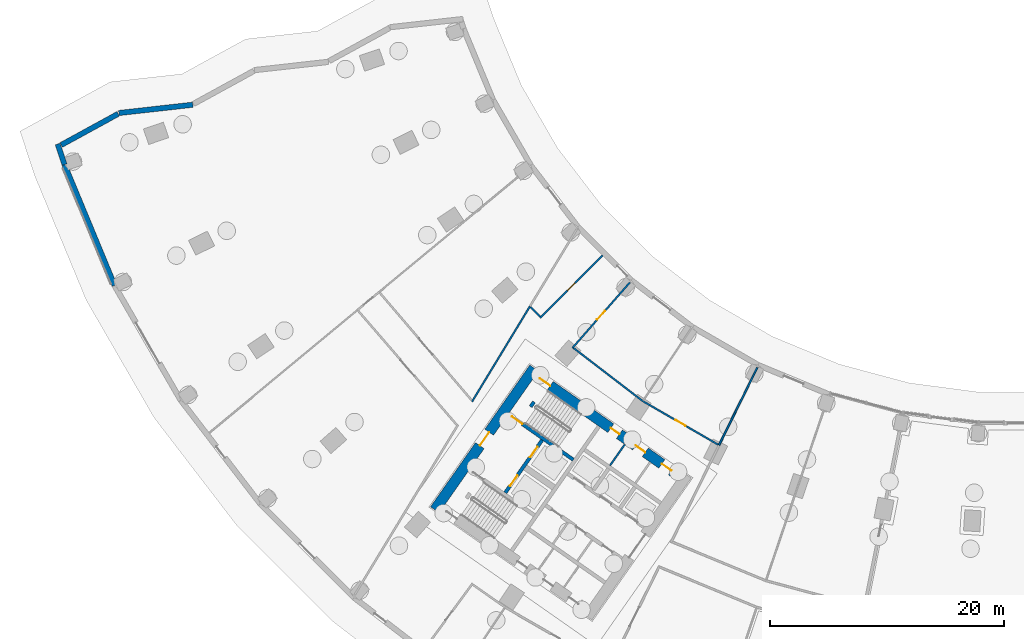
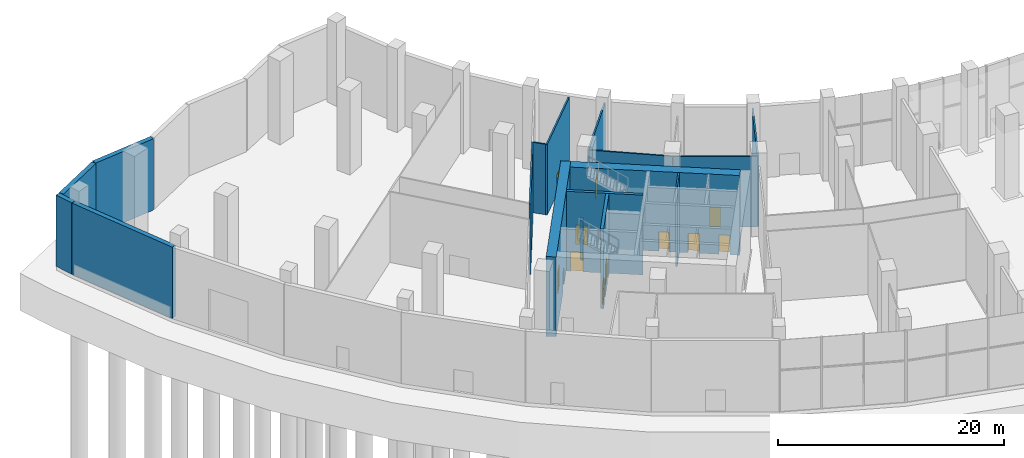
# One storey, part 6 of 23: 17 walls, 11 doors, 11 openings.
"""IFC4 building model written with IfcOpenShell, lengths in metres."""

import ifcopenshell
import ifcopenshell.guid

model = None  # the IFC model being written
_history = None  # IfcOwnerHistory: only IFC2X3 demands one
_inside = {}  # id of a spatial element -> (the spatial element, [elements in it])
_under = {}  # id of a project, library or spatial element -> (it, [spatial elements below it])
_declared = {}  # id of a project -> (the project, [libraries it declares])
_typed = {}  # id of a type object -> (the type object, [elements of that type])
_made_of = {}  # id of a material, layer set ... -> (it, [elements and type objects made of it])


def new_model(schema):
    """Start an empty IFC model of exactly this schema.

    Asked for "IFC4X3", IfcOpenShell would pick the latest addendum, in which some entities
    have other attributes; the version numbers below select the first issue.
    IFC2X3 requires an IfcOwnerHistory on every rooted entity: one is made here for all.
    """
    global model, _history
    if schema == "IFC4X3":
        model = ifcopenshell.file(schema_version=(4, 3, 0, 0))
    else:
        model = ifcopenshell.file(schema=schema)
    _inside.clear()
    _under.clear()
    _declared.clear()
    _typed.clear()
    _made_of.clear()
    _history = None
    if model.schema == "IFC2X3":
        org = make("IfcOrganization", Name="unknown")
        user = make(
            "IfcPersonAndOrganization",
            ThePerson=make("IfcPerson", FamilyName="unknown"),
            TheOrganization=org,
        )
        app = make(
            "IfcApplication",
            ApplicationDeveloper=org,
            Version="unknown",
            ApplicationFullName="unknown",
            ApplicationIdentifier="unknown",
        )
        _history = make(
            "IfcOwnerHistory",
            OwningUser=user,
            OwningApplication=app,
            ChangeAction="ADDED",
            CreationDate=0,
        )
    return model


def make(cls, **values):
    """One entity of the class cls with the attributes given. An attribute that is None is left unset."""
    return model.create_entity(
        cls, **{name: value for name, value in values.items() if value is not None}
    )


def rooted(cls, **values):
    """An entity with a GlobalId (a new one), such as an element, a storey or a relation."""
    return make(cls, GlobalId=ifcopenshell.guid.new(), OwnerHistory=_history, **values)


def si_unit(unit_type, name, prefix=None):
    """IfcSIUnit, for example si_unit("LENGTHUNIT", "METRE", prefix="MILLI")."""
    return make("IfcSIUnit", UnitType=unit_type, Prefix=prefix, Name=name)


def assignment(units):
    """IfcUnitAssignment: the units of a project."""
    return None if units is None else make("IfcUnitAssignment", Units=units)


def point(xyz):
    """IfcCartesianPoint."""
    return None if xyz is None else make("IfcCartesianPoint", Coordinates=xyz)


def direction(xyz):
    """IfcDirection."""
    return None if xyz is None else make("IfcDirection", DirectionRatios=xyz)


def frame(location, z_axis=None, x_axis=None):
    """IfcAxis2Placement3D, a coordinate frame: its origin and axes. An axis left out is left unset."""
    return make(
        "IfcAxis2Placement3D",
        Location=point(location),
        Axis=direction(z_axis),
        RefDirection=direction(x_axis),
    )


def frame_2d(location, x_axis=None):
    """IfcAxis2Placement2D, a coordinate frame in the plane: its origin and x axis."""
    return make(
        "IfcAxis2Placement2D", Location=point(location), RefDirection=direction(x_axis)
    )


def origin():
    """The frame at (0, 0, 0) with its axes left unset."""
    return frame((0.0, 0.0, 0.0))


def place(relative_to, where):
    """IfcLocalPlacement: puts the frame where relative to a parent placement (None: the world)."""
    return make(
        "IfcLocalPlacement", PlacementRelTo=relative_to, RelativePlacement=where
    )


def context(
    kind, dimensions, precision=None, world=None, true_north=None, identifier=None
):
    """IfcGeometricRepresentationContext, for example the 3D "Model" context."""
    return make(
        "IfcGeometricRepresentationContext",
        ContextIdentifier=identifier,
        ContextType=kind,
        CoordinateSpaceDimension=dimensions,
        Precision=precision,
        WorldCoordinateSystem=world,
        TrueNorth=true_north,
    )


def subcontext(parent, identifier, kind, view, scale=None):
    """IfcGeometricRepresentationSubContext, for example "Body" below "Model"."""
    return make(
        "IfcGeometricRepresentationSubContext",
        ContextIdentifier=identifier,
        ContextType=kind,
        ParentContext=parent,
        TargetScale=scale,
        TargetView=view,
    )


def project(units=None, contexts=None):
    """IfcProject with its units and contexts."""
    return rooted(
        "IfcProject",
        Name="project",
        RepresentationContexts=contexts,
        UnitsInContext=assignment(units),
    )


def spatial(cls, under=None, at=None, **own):
    """A site, building, storey or space (cls), placed at a placement, below another one or the project."""
    s = rooted(cls, ObjectPlacement=at, **own)
    if under is not None:
        _under.setdefault(under.id(), (under, []))[1].append(s)
    return s


def profile(cls, at=None, kind="AREA", **sizes):
    """A parametric profile (cls). Its sizes go by their IFC names, for example OverallWidth=200.0."""
    return make(cls, ProfileType=kind, Position=at, **sizes)


def rectangle(**sizes):
    """IfcRectangleProfileDef."""
    return profile("IfcRectangleProfileDef", **sizes)


def extrude(swept, where, along, depth):
    """IfcExtrudedAreaSolid: the profile swept, set in the frame where, extruded along a direction by depth."""
    return make(
        "IfcExtrudedAreaSolid",
        SweptArea=swept,
        Position=where,
        ExtrudedDirection=direction(along),
        Depth=depth,
    )


def shape(context_of_items, identifier, shape_type, items):
    """IfcShapeRepresentation: the items that make up one representation, for example the "Body"."""
    return make(
        "IfcShapeRepresentation",
        ContextOfItems=context_of_items,
        RepresentationIdentifier=identifier,
        RepresentationType=shape_type,
        Items=items,
    )


def material(Name=None, Category=None):
    """IfcMaterial."""
    return make("IfcMaterial", Name=Name, Category=Category)


def layer(
    of_material, thickness, ventilated=None, Name=None, Category=None, Priority=None
):
    """IfcMaterialLayer: one layer of a wall or slab, of a material (None: an air gap)."""
    return make(
        "IfcMaterialLayer",
        Material=of_material,
        LayerThickness=thickness,
        IsVentilated=ventilated,
        Name=Name,
        Category=Category,
        Priority=Priority,
    )


def layer_set(layers, Name=None):
    """IfcMaterialLayerSet."""
    return make("IfcMaterialLayerSet", MaterialLayers=layers, LayerSetName=Name)


def made_of(thing, what):
    """Note that an element or type object is made of a material, layer set ...; save() writes the relation."""
    if what is not None:
        _made_of.setdefault(what.id(), (what, []))[1].append(thing)
    return thing


def type_object(cls, material=None, **own):
    """A type object (cls), such as IfcWallType, which elements share."""
    return made_of(rooted(cls, **own), material)


def element(
    cls,
    number,
    at=None,
    inside=None,
    cuts=None,
    type_object=None,
    material=None,
    context=None,
    identifier="Body",
    shape_type=None,
    held_by="IfcProductDefinitionShape",
    body=None,
    shapes=None,
    **own,
):
    """One element of the class cls, such as IfcWall. Its Tag is "e" and its number.

    at: its placement. inside: the storey or other place that contains it. cuts: it is an
    opening in that element (IfcRelVoidsElement). A single representation is given by context,
    identifier, shape_type and body (its items); several are given by shapes. held_by: the class
    of the entity that holds the representations. save() writes the other relations.
    """
    e = rooted(cls, Tag="e%d" % number, ObjectPlacement=at, **own)
    if body is not None:
        shapes = [shape(context, identifier, shape_type, body)]
    if shapes is not None:
        e.Representation = make(held_by, Representations=shapes)
    if inside is not None:
        _inside.setdefault(inside.id(), (inside, []))[1].append(e)
    if cuts is not None:
        rooted(
            "IfcRelVoidsElement", RelatingBuildingElement=cuts, RelatedOpeningElement=e
        )
    if type_object is not None:
        _typed.setdefault(type_object.id(), (type_object, []))[1].append(e)
    return made_of(e, material)


def fill(opening, filler):
    """IfcRelFillsElement: the door or window that sits in an opening."""
    return rooted(
        "IfcRelFillsElement",
        RelatingOpeningElement=opening,
        RelatedBuildingElement=filler,
    )


def aggregate(whole, parts):
    """IfcRelAggregates: a whole, such as a stair, and the parts it consists of."""
    return rooted("IfcRelAggregates", RelatingObject=whole, RelatedObjects=parts)


def save(model, path):
    """Write the relations noted so far, then the file.

    IfcRelAggregates (storeys below a building ...), IfcRelContainedInSpatialStructure (elements
    in a storey), IfcRelDefinesByType, IfcRelAssociatesMaterial and IfcRelDeclares: one each for
    every whole, place, type object, material and project.
    """
    for whole, parts in _under.values():
        aggregate(whole, parts)
    for where, things in _inside.values():
        rooted(
            "IfcRelContainedInSpatialStructure",
            RelatedElements=things,
            RelatingStructure=where,
        )
    for kind, things in _typed.values():
        rooted("IfcRelDefinesByType", RelatedObjects=things, RelatingType=kind)
    for what, things in _made_of.values():
        rooted("IfcRelAssociatesMaterial", RelatedObjects=things, RelatingMaterial=what)
    for by, libraries in _declared.values():
        rooted("IfcRelDeclares", RelatingContext=by, RelatedDefinitions=libraries)
    model.write(path)


model = new_model("IFC4")

# Units and contexts
model_context = context("Model", 3, precision=1e-05, world=origin(), true_north=direction((0.0, 1.0)))
body_context = subcontext(model_context, "Body", "Model", "MODEL_VIEW")
ifc_project = project(units=[si_unit("LENGTHUNIT", "METRE"), si_unit("AREAUNIT", "SQUARE_METRE"), si_unit("VOLUMEUNIT", "CUBIC_METRE"), si_unit("PLANEANGLEUNIT", "RADIAN"), si_unit("MASSUNIT", "GRAM", prefix="KILO")], contexts=[model_context])

# Site, building, storey
site_placement = place(None, origin())
site = spatial("IfcSite", under=ifc_project, at=site_placement, CompositionType="ELEMENT")
building_placement = place(site_placement, origin())
building = spatial("IfcBuilding", under=site, at=building_placement, Name="Qamariyya Broadcast Tower", CompositionType="ELEMENT")
storey_placement = place(building_placement, origin())
storey = spatial("IfcBuildingStorey", under=building, at=storey_placement, Name="L00", CompositionType="ELEMENT", Elevation=0.0)

# Wall, opening, door
ifc_material_1 = material(Name="Concrete C70/85", Category="concrete")
ifc_layer_1 = layer(ifc_material_1, 0.89990234375)
ifc_layer_set_1 = layer_set([ifc_layer_1], Name="Core wall 900 mm Concrete C70/85")
wall_type_1 = type_object("IfcWallType", Name="Core wall 900 mm Concrete C70/85", PredefinedType="SHEAR", material=ifc_layer_set_1)
wall_1_placement = place(storey_placement, frame((-49.778564453125, -57.191162109375, 0.0), z_axis=(0.0, 0.0, 1.0), x_axis=(0.573577477574, 0.819151315216, 0.0)))
wall_1 = element("IfcWall", 1, at=wall_1_placement, inside=storey, type_object=wall_type_1, Name="k-W-L00-WH", PredefinedType="SHEAR", context=body_context, shape_type="SweptSolid", body=[
    extrude(rectangle(XDim=14.800048828125, YDim=0.89990234375, at=frame_2d((7.39990234375, 0.0))), origin(), (0.0, 0.0, 1.0), 8.60009765625),
])
opening_1_placement = place(wall_1_placement, frame((6.699951171875, 0.0, 0.0)))
opening_1 = element("IfcOpeningElement", 2, at=opening_1_placement, cuts=wall_1, Name="Opening KD2-W1", PredefinedType="OPENING", context=body_context, shape_type="SweptSolid", body=[
    extrude(rectangle(XDim=1.39990234375, YDim=2.10009765625, at=frame_2d((0.699951171875, 1.050048828125))), frame((0.0, 0.4599609375, 0.0), z_axis=(0.0, -1.0, 0.0), x_axis=(1.0, 0.0, 0.0)), (0.0, 0.0, 1.0), 0.919921875),
])
ifc_material_2 = material(Name="Steel fire-resisting door leaf", Category="steel")
door_type_1 = type_object("IfcDoorType", Name="Fire-fighting lobby door KD2", OperationType="DOUBLE_DOOR_SINGLE_SWING", PredefinedType="DOOR", material=ifc_material_2)
door_1_placement = place(opening_1_placement, origin())
door_1 = element("IfcDoor", 3, at=door_1_placement, inside=storey, type_object=door_type_1, Name="k-W-L00-WH-D16", OperationType="DOUBLE_DOOR_SINGLE_SWING", OverallHeight=2.10009765625, OverallWidth=1.39990234375, PredefinedType="DOOR", context=body_context, shape_type="SweptSolid", body=[
    extrude(rectangle(XDim=1.39990234375, YDim=2.10009765625, at=frame_2d((0.699951171875, 1.050048828125))), frame((0.0, 0.02490234375, 0.0), z_axis=(0.0, -1.0, 0.0), x_axis=(1.0, 0.0, 0.0)), (0.0, 0.0, 1.0), 0.050048828125),
])
fill(opening_1, door_1)

# Wall, openings, doors
wall_2_placement = place(storey_placement, frame((-28.8544921875, -54.32421875, 0.0), z_axis=(0.0, 0.0, 1.0), x_axis=(-0.819145767589, 0.573585400304, 0.0)))
wall_2 = element("IfcWall", 4, at=wall_2_placement, inside=storey, type_object=wall_type_1, Name="k-W-L00-WI", PredefinedType="SHEAR", context=body_context, shape_type="SweptSolid", body=[
    extrude(rectangle(XDim=15.04541015625, YDim=0.89990234375, at=frame_2d((7.522705078125, 0.0))), origin(), (0.0, 0.0, 1.0), 8.60009765625),
])
opening_2_placement = place(wall_2_placement, frame((0.85009765625, 0.0, 0.0)))
opening_2 = element("IfcOpeningElement", 5, at=opening_2_placement, cuts=wall_2, Name="Opening KD6-W3", PredefinedType="OPENING", context=body_context, shape_type="SweptSolid", body=[
    extrude(rectangle(XDim=1.0, YDim=2.10009765625, at=frame_2d((0.5, 1.050048828125))), frame((0.0, 0.4599609375, 0.0), z_axis=(0.0, -1.0, 0.0), x_axis=(1.0, 0.0, 0.0)), (0.0, 0.0, 1.0), 0.919921875),
])
opening_3_placement = place(wall_2_placement, frame((3.574951171875, 0.0, 0.0)))
opening_3 = element("IfcOpeningElement", 6, at=opening_3_placement, cuts=wall_2, Name="Opening KD7-W1", PredefinedType="OPENING", context=body_context, shape_type="SweptSolid", body=[
    extrude(rectangle(XDim=1.0, YDim=2.10009765625, at=frame_2d((0.5, 1.050048828125))), frame((0.0, 0.4599609375, 0.0), z_axis=(0.0, -1.0, 0.0), x_axis=(1.0, 0.0, 0.0)), (0.0, 0.0, 1.0), 0.919921875),
])
opening_4_placement = place(wall_2_placement, frame((6.27490234375, 0.0, 0.0)))
opening_4 = element("IfcOpeningElement", 7, at=opening_4_placement, cuts=wall_2, Name="Opening KD5-W1", PredefinedType="OPENING", context=body_context, shape_type="SweptSolid", body=[
    extrude(rectangle(XDim=0.89990234375, YDim=2.10009765625, at=frame_2d((0.449951171875, 1.050048828125))), frame((0.0, 0.4599609375, 0.0), z_axis=(0.0, -1.0, 0.0), x_axis=(1.0, 0.0, 0.0)), (0.0, 0.0, 1.0), 0.919921875),
])
opening_5_placement = place(wall_2_placement, frame((13.495361328125, 0.0, 0.0)))
opening_5 = element("IfcOpeningElement", 8, at=opening_5_placement, cuts=wall_2, Name="Opening KD1-W1", PredefinedType="OPENING", context=body_context, shape_type="SweptSolid", body=[
    extrude(rectangle(XDim=1.10009765625, YDim=2.10009765625, at=frame_2d((0.550048828125, 1.050048828125))), frame((0.0, 0.4599609375, 0.0), z_axis=(0.0, -1.0, 0.0), x_axis=(1.0, 0.0, 0.0)), (0.0, 0.0, 1.0), 0.919921875),
])
door_type_2 = type_object("IfcDoorType", Name="Accessible toilet door KD7", OperationType="SINGLE_SWING_LEFT", PredefinedType="DOOR", material=ifc_material_2)
door_2_placement = place(opening_3_placement, origin())
door_2 = element("IfcDoor", 9, at=door_2_placement, inside=storey, type_object=door_type_2, Name="k-W-L00-WI-D9", OperationType="SINGLE_SWING_RIGHT", OverallHeight=2.10009765625, OverallWidth=1.0, PredefinedType="DOOR", context=body_context, shape_type="SweptSolid", body=[
    extrude(rectangle(XDim=1.0, YDim=2.10009765625, at=frame_2d((0.5, 1.050048828125))), frame((0.0, 0.02490234375, 0.0), z_axis=(0.0, -1.0, 0.0), x_axis=(1.0, 0.0, 0.0)), (0.0, 0.0, 1.0), 0.050048828125),
])
fill(opening_3, door_2)
door_type_3 = type_object("IfcDoorType", Name="Core room door KD6", OperationType="SINGLE_SWING_LEFT", PredefinedType="DOOR", material=ifc_material_2)
door_3_placement = place(opening_2_placement, origin())
door_3 = element("IfcDoor", 10, at=door_3_placement, inside=storey, type_object=door_type_3, Name="k-W-L00-WI-D8", OperationType="SINGLE_SWING_LEFT", OverallHeight=2.10009765625, OverallWidth=1.0, PredefinedType="DOOR", context=body_context, shape_type="SweptSolid", body=[
    extrude(rectangle(XDim=1.0, YDim=2.10009765625, at=frame_2d((0.5, 1.050048828125))), frame((0.0, 0.02490234375, 0.0), z_axis=(0.0, -1.0, 0.0), x_axis=(1.0, 0.0, 0.0)), (0.0, 0.0, 1.0), 0.050048828125),
])
fill(opening_2, door_3)
door_type_4 = type_object("IfcDoorType", Name="Stair door KD1", OperationType="SINGLE_SWING_LEFT", PredefinedType="DOOR", material=ifc_material_2)
door_4_placement = place(opening_5_placement, origin())
door_4 = element("IfcDoor", 11, at=door_4_placement, inside=storey, type_object=door_type_4, Name="k-W-L00-WI-D17", OperationType="SINGLE_SWING_RIGHT", OverallHeight=2.10009765625, OverallWidth=1.10009765625, PredefinedType="DOOR", context=body_context, shape_type="SweptSolid", body=[
    extrude(rectangle(XDim=1.10009765625, YDim=2.10009765625, at=frame_2d((0.550048828125, 1.050048828125))), frame((0.0, 0.02490234375, 0.0), z_axis=(0.0, -1.0, 0.0), x_axis=(1.0, 0.0, 0.0)), (0.0, 0.0, 1.0), 0.050048828125),
])
fill(opening_5, door_4)
door_type_5 = type_object("IfcDoorType", Name="Toilet door KD5", OperationType="SINGLE_SWING_LEFT", PredefinedType="DOOR", material=ifc_material_2)
door_5_placement = place(opening_4_placement, origin())
door_5 = element("IfcDoor", 12, at=door_5_placement, inside=storey, type_object=door_type_5, Name="k-W-L00-WI-D10", OperationType="SINGLE_SWING_LEFT", OverallHeight=2.10009765625, OverallWidth=0.89990234375, PredefinedType="DOOR", context=body_context, shape_type="SweptSolid", body=[
    extrude(rectangle(XDim=0.89990234375, YDim=2.10009765625, at=frame_2d((0.449951171875, 1.050048828125))), frame((0.0, 0.02490234375, 0.0), z_axis=(0.0, -1.0, 0.0), x_axis=(1.0, 0.0, 0.0)), (0.0, 0.0, 1.0), 0.050048828125),
])
fill(opening_4, door_5)

# Walls
ifc_material_3 = material(Name="Gypsum board partition")
ifc_layer_2 = layer(ifc_material_3, 0.14990234375)
ifc_layer_set_2 = layer_set([ifc_layer_2], Name="Corridor partition 150 EI 60")
wall_type_2 = type_object("IfcWallType", Name="Corridor partition 150 EI 60", PredefinedType="PARTITIONING", material=ifc_layer_set_2)
wall_3_placement = place(storey_placement, frame((-41.648193359375, -39.789306640625, 0.0), z_axis=(0.0, 0.0, 1.0), x_axis=(-0.519144162426, -0.854686690325, 0.0)))
element("IfcWall", 13, at=wall_3_placement, inside=storey, type_object=wall_type_2, Name="Partition L00-012", PredefinedType="PARTITIONING", context=body_context, shape_type="SweptSolid", body=[
    extrude(rectangle(XDim=9.55419921875, YDim=0.14990234375, at=frame_2d((4.777099609375, 0.0))), origin(), (0.0, 0.0, 1.0), 7.60009765625),
])
wall_4_placement = place(storey_placement, frame((-41.595703125, -39.843017578125, 0.0), z_axis=(0.0, 0.0, 1.0), x_axis=(0.698989001302, -0.715132418548, 0.0)))
element("IfcWall", 14, at=wall_4_placement, inside=storey, type_object=wall_type_2, Name="Partition L00-013", PredefinedType="PARTITIONING", context=body_context, shape_type="SweptSolid", body=[
    extrude(rectangle(XDim=1.16455078125, YDim=0.14990234375, at=frame_2d((0.582275390625, 0.0))), origin(), (0.0, 0.0, 1.0), 7.60009765625),
])
wall_5_placement = place(storey_placement, frame((-37.918701171875, -43.3515625, 0.0), z_axis=(0.0, 0.0, 1.0), x_axis=(0.793353438114, -0.608761301523, 0.0)))
element("IfcWall", 15, at=wall_5_placement, inside=storey, type_object=wall_type_2, Name="Partition L00-014", PredefinedType="PARTITIONING", context=body_context, shape_type="SweptSolid", body=[
    extrude(rectangle(XDim=7.45947265625, YDim=0.14990234375, at=frame_2d((3.729736328125, 0.0))), origin(), (0.0, 0.0, 1.0), 7.60009765625),
])

# Wall, opening, door
wall_6_placement = place(storey_placement, frame((-40.782470703125, -40.782470703125, 0.0), z_axis=(0.0, 0.0, 1.0), x_axis=(0.707106781187, 0.707106781187, 0.0)))
wall_6 = element("IfcWall", 16, at=wall_6_placement, inside=storey, type_object=wall_type_2, Name="Partition L00-016", PredefinedType="PARTITIONING", context=body_context, shape_type="SweptSolid", body=[
    extrude(rectangle(XDim=7.581787109375, YDim=0.14990234375, at=frame_2d((3.791015625, 0.0))), origin(), (0.0, 0.0, 1.0), 7.60009765625),
])
opening_6_placement = place(wall_6_placement, frame((3.3408203125, 0.0, 0.0)))
opening_6 = element("IfcOpeningElement", 17, at=opening_6_placement, cuts=wall_6, Name="Opening L00-D08", PredefinedType="OPENING", context=body_context, shape_type="SweptSolid", body=[
    extrude(rectangle(XDim=0.89990234375, YDim=2.10009765625, at=frame_2d((0.449951171875, 1.050048828125))), frame((0.0, 0.0849609375, 0.0), z_axis=(0.0, -1.0, 0.0), x_axis=(1.0, 0.0, 0.0)), (0.0, 0.0, 1.0), 0.169921875),
])
ifc_material_4 = material(Name="Timber fire door leaf", Category="wood")
door_type_6 = type_object("IfcDoorType", Name="Fire door 900 x 2100 FD60", OperationType="NOTDEFINED", PredefinedType="DOOR", material=ifc_material_4)
door_6_placement = place(opening_6_placement, origin())
door_6 = element("IfcDoor", 18, at=door_6_placement, inside=storey, type_object=door_type_6, Name="Door L00-D08", OperationType="SINGLE_SWING_RIGHT", OverallHeight=2.10009765625, OverallWidth=0.89990234375, PredefinedType="DOOR", context=body_context, shape_type="SweptSolid", body=[
    extrude(rectangle(XDim=0.89990234375, YDim=2.10009765625, at=frame_2d((0.449951171875, 1.050048828125))), frame((0.0, 0.02490234375, 0.0), z_axis=(0.0, -1.0, 0.0), x_axis=(1.0, 0.0, 0.0)), (0.0, 0.0, 1.0), 0.050048828125),
])
fill(opening_6, door_6)

wall_7_placement = place(storey_placement, frame((-33.09912109375, -37.742431640625, 0.0), z_axis=(0.0, 0.0, 1.0), x_axis=(-0.659362039417, -0.751825578826, 0.0)))
wall_7 = element("IfcWall", 19, at=wall_7_placement, inside=storey, type_object=wall_type_2, Name="Partition L00-018", PredefinedType="PARTITIONING", context=body_context, shape_type="SweptSolid", body=[
    extrude(rectangle(XDim=7.474853515625, YDim=0.14990234375, at=frame_2d((3.7373046875, 0.0))), origin(), (0.0, 0.0, 1.0), 7.60009765625),
])
opening_7_placement = place(wall_7_placement, frame((3.237548828125, 0.0, 0.0)))
opening_7 = element("IfcOpeningElement", 20, at=opening_7_placement, cuts=wall_7, Name="Opening L00-D09", PredefinedType="OPENING", context=body_context, shape_type="SweptSolid", body=[
    extrude(rectangle(XDim=1.0, YDim=2.10009765625, at=frame_2d((0.5, 1.050048828125))), frame((0.0, 0.0849609375, 0.0), z_axis=(0.0, -1.0, 0.0), x_axis=(1.0, 0.0, 0.0)), (0.0, 0.0, 1.0), 0.169921875),
])
door_type_7 = type_object("IfcDoorType", Name="Fire door 1000 x 2100 FD60", OperationType="NOTDEFINED", PredefinedType="DOOR", material=ifc_material_4)
door_7_placement = place(opening_7_placement, origin())
door_7 = element("IfcDoor", 21, at=door_7_placement, inside=storey, type_object=door_type_7, Name="Door L00-D09", OperationType="SINGLE_SWING_RIGHT", OverallHeight=2.10009765625, OverallWidth=1.0, PredefinedType="DOOR", context=body_context, shape_type="SweptSolid", body=[
    extrude(rectangle(XDim=1.0, YDim=2.10009765625, at=frame_2d((0.5, 1.050048828125))), frame((0.0, 0.02490234375, 0.0), z_axis=(0.0, -1.0, 0.0), x_axis=(1.0, 0.0, 0.0)), (0.0, 0.0, 1.0), 0.050048828125),
])
fill(opening_7, door_7)

wall_8_placement = place(storey_placement, frame((-32.000732421875, -47.892578125, 0.0), z_axis=(0.0, 0.0, 1.0), x_axis=(0.866020983744, -0.500007655656, 0.0)))
wall_8 = element("IfcWall", 22, at=wall_8_placement, inside=storey, type_object=wall_type_2, Name="Partition L00-019", PredefinedType="PARTITIONING", context=body_context, shape_type="SweptSolid", body=[
    extrude(rectangle(XDim=7.45947265625, YDim=0.14990234375, at=frame_2d((3.729736328125, 0.0))), origin(), (0.0, 0.0, 1.0), 7.60009765625),
])
opening_8_placement = place(wall_8_placement, frame((3.229736328125, 0.0, 0.0)))
opening_8 = element("IfcOpeningElement", 23, at=opening_8_placement, cuts=wall_8, Name="Opening L00-D10", PredefinedType="OPENING", context=body_context, shape_type="SweptSolid", body=[
    extrude(rectangle(XDim=1.0, YDim=2.10009765625, at=frame_2d((0.5, 1.050048828125))), frame((0.0, 0.0849609375, 0.0), z_axis=(0.0, -1.0, 0.0), x_axis=(1.0, 0.0, 0.0)), (0.0, 0.0, 1.0), 0.169921875),
])
door_8_placement = place(opening_8_placement, origin())
door_8 = element("IfcDoor", 24, at=door_8_placement, inside=storey, type_object=door_type_7, Name="Door L00-D10", OperationType="SINGLE_SWING_RIGHT", OverallHeight=2.10009765625, OverallWidth=1.0, PredefinedType="DOOR", context=body_context, shape_type="SweptSolid", body=[
    extrude(rectangle(XDim=1.0, YDim=2.10009765625, at=frame_2d((0.5, 1.050048828125))), frame((0.0, 0.02490234375, 0.0), z_axis=(0.0, -1.0, 0.0), x_axis=(1.0, 0.0, 0.0)), (0.0, 0.0, 1.0), 0.050048828125),
])
fill(opening_8, door_8)

# Walls
wall_9_placement = place(storey_placement, frame((-22.202880859375, -45.02294921875, 0.0), z_axis=(0.0, 0.0, 1.0), x_axis=(-0.442284486457, -0.896874814586, 0.0)))
element("IfcWall", 25, at=wall_9_placement, inside=storey, type_object=wall_type_2, Name="Partition L00-027", PredefinedType="PARTITIONING", context=body_context, shape_type="SweptSolid", body=[
    extrude(rectangle(XDim=7.400146484375, YDim=0.14990234375, at=frame_2d((3.7001953125, 0.0))), origin(), (0.0, 0.0, 1.0), 7.60009765625),
])
ifc_material_5 = material(Name="Gypsum board partition on steel studs", Category="steel")
ifc_layer_3 = layer(ifc_material_5, 0.14990234375)
ifc_layer_set_3 = layer_set([ifc_layer_3], Name="Gypsum board partition 150 mm")
wall_type_3 = type_object("IfcWallType", Name="Gypsum board partition 150 mm", PredefinedType="PARTITIONING", material=ifc_layer_set_3)
wall_10_placement = place(storey_placement, frame((-34.798095703125, -53.3974609375, 0.0), z_axis=(0.0, 0.0, 1.0), x_axis=(0.573633636671, 0.819111989218, 0.0)))
element("IfcWall", 26, at=wall_10_placement, inside=storey, type_object=wall_type_3, Name="k-W-L00-NP540", PredefinedType="PARTITIONING", context=body_context, shape_type="SweptSolid", body=[
    extrude(rectangle(XDim=2.199951171875, YDim=0.14990234375, at=frame_2d((1.10009765625, 0.0))), origin(), (0.0, 0.0, 1.0), 8.60009765625),
])

# Wall, opening, door
ifc_material_6 = material(Name="Concrete C60/75", Category="concrete")
ifc_layer_4 = layer(ifc_material_6, 0.300048828125)
ifc_layer_set_4 = layer_set([ifc_layer_4], Name="Lift shaft wall 300 mm Concrete C60/75")
wall_type_4 = type_object("IfcWallType", Name="Lift shaft wall 300 mm Concrete C60/75", PredefinedType="SOLIDWALL", material=ifc_layer_set_4)
wall_11_placement = place(storey_placement, frame((-37.935546875, -52.90966796875, 0.0), z_axis=(0.0, 0.0, 1.0), x_axis=(-0.819147518138, 0.57358290031, 0.0)))
wall_11 = element("IfcWall", 27, at=wall_11_placement, inside=storey, type_object=wall_type_4, Name="k-W-L00-NW", PredefinedType="SOLIDWALL", context=body_context, shape_type="SweptSolid", body=[
    extrude(rectangle(XDim=6.79541015625, YDim=0.300048828125, at=frame_2d((3.397705078125, 0.0))), origin(), (0.0, 0.0, 1.0), 8.60009765625),
])
opening_9_placement = place(wall_11_placement, frame((5.3203125, 0.0, 0.0)))
opening_9 = element("IfcOpeningElement", 28, at=opening_9_placement, cuts=wall_11, Name="Opening KD1-W2", PredefinedType="OPENING", context=body_context, shape_type="SweptSolid", body=[
    extrude(rectangle(XDim=1.10009765625, YDim=2.10009765625, at=frame_2d((0.550048828125, 1.050048828125))), frame((0.0, 0.159912109375, 0.0), z_axis=(0.0, -1.0, 0.0), x_axis=(1.0, 0.0, 0.0)), (0.0, 0.0, 1.0), 0.320068359375),
])
door_9_placement = place(opening_9_placement, origin())
door_9 = element("IfcDoor", 29, at=door_9_placement, inside=storey, type_object=door_type_4, Name="k-W-L00-NW-D18", OperationType="SINGLE_SWING_LEFT", OverallHeight=2.10009765625, OverallWidth=1.10009765625, PredefinedType="DOOR", context=body_context, shape_type="SweptSolid", body=[
    extrude(rectangle(XDim=1.10009765625, YDim=2.10009765625, at=frame_2d((0.550048828125, 1.050048828125))), frame((0.0, 0.02490234375, 0.0), z_axis=(0.0, -1.0, 0.0), x_axis=(1.0, 0.0, 0.0)), (0.0, 0.0, 1.0), 0.050048828125),
])
fill(opening_9, door_9)

# Wall, openings, doors
wall_12_placement = place(storey_placement, frame((-43.756591796875, -55.731201171875, 0.0), z_axis=(0.0, 0.0, 1.0), x_axis=(0.573536818435, 0.819179783625, 0.0)))
wall_12 = element("IfcWall", 30, at=wall_12_placement, inside=storey, type_object=wall_type_4, Name="k-W-L00-FF", PredefinedType="SOLIDWALL", context=body_context, shape_type="SweptSolid", body=[
    extrude(rectangle(XDim=5.500244140625, YDim=0.300048828125, at=frame_2d((2.75, 0.0))), origin(), (0.0, 0.0, 1.0), 8.60009765625),
])
opening_10_placement = place(wall_12_placement, frame((0.699951171875, 0.0, 0.0)))
opening_10 = element("IfcOpeningElement", 31, at=opening_10_placement, cuts=wall_12, Name="Opening LD", PredefinedType="OPENING", context=body_context, shape_type="SweptSolid", body=[
    extrude(rectangle(XDim=1.10009765625, YDim=2.10009765625, at=frame_2d((0.550048828125, 1.050048828125))), frame((0.0, 0.159912109375, 0.0), z_axis=(0.0, -1.0, 0.0), x_axis=(1.0, 0.0, 0.0)), (0.0, 0.0, 1.0), 0.320068359375),
])
opening_11_placement = place(wall_12_placement, frame((3.699951171875, 0.0, 0.0)))
opening_11 = element("IfcOpeningElement", 32, at=opening_11_placement, cuts=wall_12, Name="Opening LD", PredefinedType="OPENING", context=body_context, shape_type="SweptSolid", body=[
    extrude(rectangle(XDim=1.10009765625, YDim=2.10009765625, at=frame_2d((0.550048828125, 1.050048828125))), frame((0.0, 0.159912109375, 0.0), z_axis=(0.0, -1.0, 0.0), x_axis=(1.0, 0.0, 0.0)), (0.0, 0.0, 1.0), 0.320068359375),
])
door_type_8 = type_object("IfcDoorType", Name="Lift landing door LD", OperationType="DOUBLE_DOOR_SLIDING", PredefinedType="DOOR", material=ifc_material_2)
door_10_placement = place(opening_10_placement, origin())
door_10 = element("IfcDoor", 33, at=door_10_placement, inside=storey, type_object=door_type_8, Name="k-W-L00-FF-D14", OperationType="DOUBLE_DOOR_SLIDING", OverallHeight=2.10009765625, OverallWidth=1.10009765625, PredefinedType="DOOR", context=body_context, shape_type="SweptSolid", body=[
    extrude(rectangle(XDim=1.10009765625, YDim=2.10009765625, at=frame_2d((0.550048828125, 1.050048828125))), frame((0.0, 0.02490234375, 0.0), z_axis=(0.0, -1.0, 0.0), x_axis=(1.0, 0.0, 0.0)), (0.0, 0.0, 1.0), 0.050048828125),
])
fill(opening_10, door_10)
door_11_placement = place(opening_11_placement, origin())
door_11 = element("IfcDoor", 34, at=door_11_placement, inside=storey, type_object=door_type_8, Name="k-W-L00-FF-D15", OperationType="DOUBLE_DOOR_SLIDING", OverallHeight=2.10009765625, OverallWidth=1.10009765625, PredefinedType="DOOR", context=body_context, shape_type="SweptSolid", body=[
    extrude(rectangle(XDim=1.10009765625, YDim=2.10009765625, at=frame_2d((0.550048828125, 1.050048828125))), frame((0.0, 0.02490234375, 0.0), z_axis=(0.0, -1.0, 0.0), x_axis=(1.0, 0.0, 0.0)), (0.0, 0.0, 1.0), 0.050048828125),
])
fill(opening_11, door_11)

# Walls
wall_13_placement = place(storey_placement, frame((-41.5869140625, -48.369140625, 0.0), z_axis=(0.0, 0.0, 1.0), x_axis=(0.573495128918, 0.819208970354, 0.0)))
element("IfcWall", 35, at=wall_13_placement, inside=storey, type_object=wall_type_4, Name="k-W-L00-W2PR", PredefinedType="SOLIDWALL", context=body_context, shape_type="SweptSolid", body=[
    extrude(rectangle(XDim=0.499755859375, YDim=0.300048828125, at=frame_2d((0.25, 0.0))), origin(), (0.0, 0.0, 1.0), 4.300048828125),
])
ifc_material_7 = material(Name="Precast concrete C40/50 with terracotta facing", Category="masonry")
ifc_layer_5 = layer(ifc_material_7, 0.449951171875)
ifc_layer_set_5 = layer_set([ifc_layer_5], Name="Precast concrete C40/50 wall 450, terracotta faced")
wall_type_5 = type_object("IfcWallType", Name="Precast concrete C40/50 wall 450, terracotta faced", PredefinedType="SOLIDWALL", material=ifc_layer_set_5)
wall_14_placement = place(storey_placement, frame((-70.4814453125, -22.548095703125, 0.0), z_axis=(0.0, 0.0, 1.0), x_axis=(-0.993813805196, -0.111059086081, 0.0)))
element("IfcWall", 36, at=wall_14_placement, inside=storey, type_object=wall_type_5, Name="e-wl-L00-capW4", PredefinedType="SOLIDWALL", context=body_context, shape_type="SweptSolid", body=[
    extrude(rectangle(XDim=6.36181640625, YDim=0.449951171875, at=frame_2d((3.180908203125, 0.0))), origin(), (0.0, 0.0, 1.0), 7.699951171875),
])
wall_15_placement = place(storey_placement, frame((-76.863037109375, -23.32373046875, 0.0), z_axis=(0.0, 0.0, 1.0), x_axis=(-0.877209140108, -0.480108450781, 0.0)))
element("IfcWall", 37, at=wall_15_placement, inside=storey, type_object=wall_type_5, Name="e-wl-L00-capW5", PredefinedType="SOLIDWALL", context=body_context, shape_type="SweptSolid", body=[
    extrude(rectangle(XDim=5.552978515625, YDim=0.449951171875, at=frame_2d((2.7763671875, 0.0))), origin(), (0.0, 0.0, 1.0), 7.699951171875),
])
wall_16_placement = place(storey_placement, frame((-82.031982421875, -25.90625, 0.0), z_axis=(0.0, 0.0, 1.0), x_axis=(0.311621150825, -0.95020642934, 0.0)))
element("IfcWall", 38, at=wall_16_placement, inside=storey, type_object=wall_type_5, Name="e-wl-L00-out00", PredefinedType="SOLIDWALL", context=body_context, shape_type="SweptSolid", body=[
    extrude(rectangle(XDim=1.845703125, YDim=0.449951171875, at=frame_2d((0.9228515625, 0.0))), origin(), (0.0, 0.0, 1.0), 7.699951171875),
])
wall_17_placement = place(storey_placement, frame((-81.449462890625, -27.675537109375, 0.0), z_axis=(0.0, 0.0, 1.0), x_axis=(0.382700611107, -0.923872416656, 0.0)))
element("IfcWall", 39, at=wall_17_placement, inside=storey, type_object=wall_type_5, Name="e-wl-L00-out10", PredefinedType="SOLIDWALL", context=body_context, shape_type="SweptSolid", body=[
    extrude(rectangle(XDim=11.167724609375, YDim=0.449951171875, at=frame_2d((5.583984375, 0.0))), origin(), (0.0, 0.0, 1.0), 7.699951171875),
])

save(model, "model.ifc")
